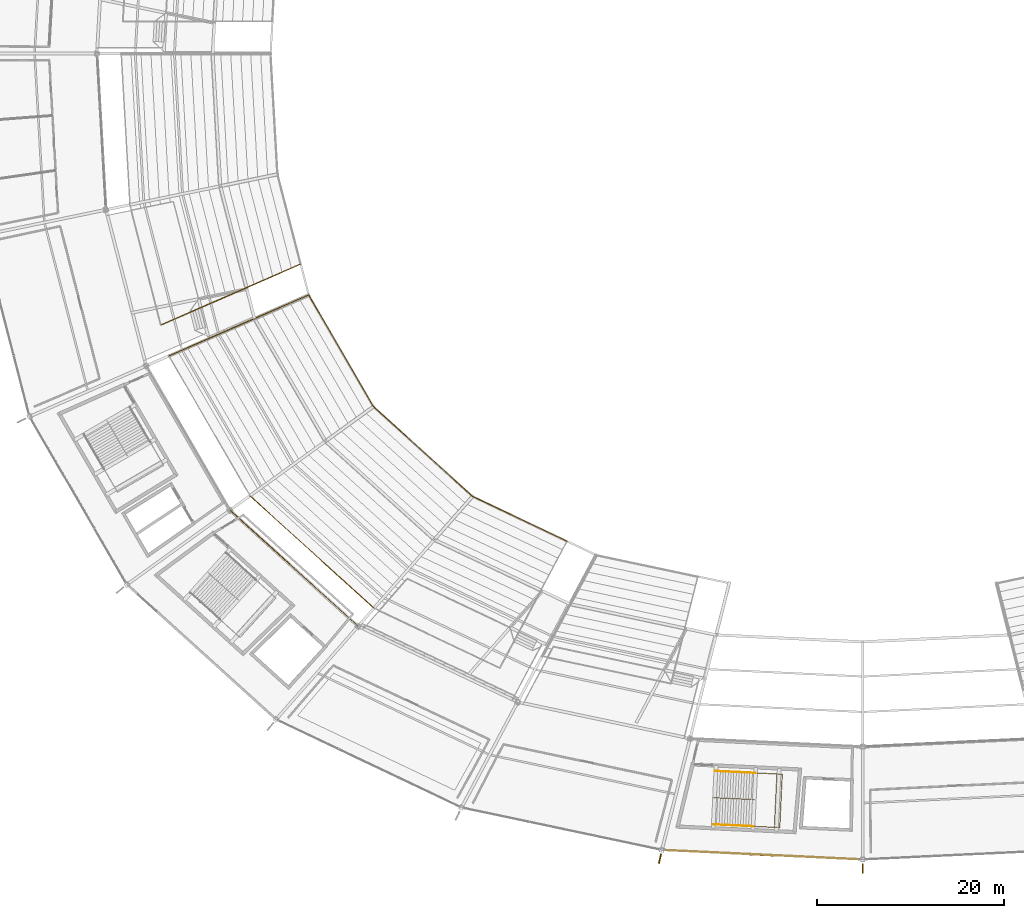
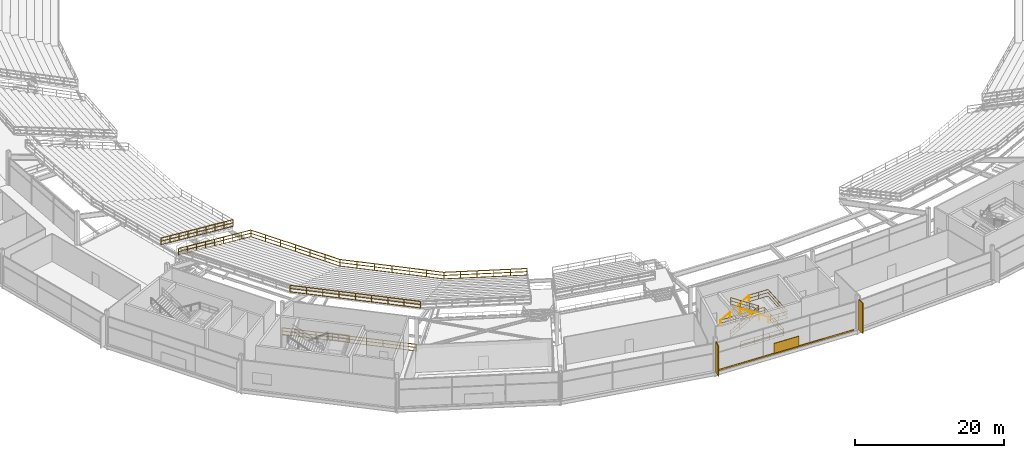
# One storey, part 171 of 186: 12 railings, 3 shading devices, 1 covering.
"""IFC4 building model written with IfcOpenShell, lengths in metres."""

from ifc_helpers import new_model, si_unit, direction, frame, origin, origin_2d, place, context, subcontext, project, spatial, rectangle, extrude, material, layer, layer_set, type_object, element, save


model = new_model("IFC4")

# Units and contexts
model_context = context("Model", 3, precision=1e-05, world=origin(), true_north=direction((0.0, 1.0)))
body_context = subcontext(model_context, "Body", "Model", "MODEL_VIEW")
ifc_project = project(units=[si_unit("LENGTHUNIT", "METRE"), si_unit("AREAUNIT", "SQUARE_METRE"), si_unit("VOLUMEUNIT", "CUBIC_METRE"), si_unit("PLANEANGLEUNIT", "RADIAN"), si_unit("MASSUNIT", "GRAM", prefix="KILO")], contexts=[model_context])

# Site, building, storey
site_placement = place(None, origin())
site = spatial("IfcSite", under=ifc_project, at=site_placement, CompositionType="ELEMENT")
building_placement = place(site_placement, origin())
building = spatial("IfcBuilding", under=site, at=building_placement, Name="Kazemori Nagisa Stadium", CompositionType="ELEMENT")
storey_placement = place(building_placement, frame((0.0, 0.0, 20.39990234375)))
storey = spatial("IfcBuildingStorey", under=building, at=storey_placement, Name="L04", CompositionType="ELEMENT", Elevation=20.39990234375)

# Covering
ifc_material_1 = material(Name="Anodised aluminium 6063-T5", Category="aluminium")
ifc_layer = layer(ifc_material_1, 0.034912109375, Name="Anodised aluminium 6063-T5", Category="aluminium")
ifc_layer_set = layer_set([ifc_layer], Name="Anodised aluminium 6063-T5")
covering_type = type_object("IfcCoveringType", Name="Covering_CLAD", PredefinedType="CLADDING", material=ifc_layer_set)
covering_placement = place(storey_placement, frame((112.2861328125, 16.506591796875, -0.259765625), z_axis=(0.0, 0.0, 1.0), x_axis=(0.998884022476, -0.047230388971, 0.0)))
element("IfcCovering", 1, at=covering_placement, inside=storey, type_object=covering_type, Name="Anodised fascia cladding L04-B21", PredefinedType="CLADDING", context=body_context, shape_type="SweptSolid", body=[
    extrude(rectangle(XDim=20.3515625, YDim=0.0400390625, at=origin_2d()), origin(), (0.0, 0.0, 1.0), 0.260009765625),
])

# Shading devices
ifc_material_2 = material(Name="Aluminium 6063-T5 anodised", Category="aluminium")
shading_device_type_1 = type_object("IfcShadingDeviceType", Name="Fin_FN03", PredefinedType="USERDEFINED", material=ifc_material_2)
for number, where, z_axis, x_axis, name in (
    (2, (101.35986328125, 16.08203125, 0.0), (0.0, 0.0, 1.0), (-0.222520933954, -0.974927912182, 0.0), "Aerodynamic wave shading fin L04-21"),
    (3, (123.0, 15.044921875, 0.0), (0.0, 0.0, 1.0), (0.0, -1.0, 0.0), "Aerodynamic wave shading fin L04-22"),
):
    element("IfcShadingDevice", number, at=place(storey_placement, frame(where, z_axis=z_axis, x_axis=x_axis)), inside=storey, type_object=shading_device_type_1, Name=name, ObjectType="FIN", PredefinedType="USERDEFINED", context=body_context, shape_type="SweptSolid", body=[
        extrude(rectangle(XDim=1.050048828125, YDim=0.139892578125, at=origin_2d()), origin(), (0.0, 0.0, 1.0), 5.0),
    ])
shading_device_type_2 = type_object("IfcShadingDeviceType", Name="Louvre_LV02", PredefinedType="JALOUSIE", material=ifc_material_2)
shading_device_placement = place(storey_placement, frame((112.2861328125, 16.506591796875, -0.010009765625), z_axis=(0.0, 0.0, 1.0), x_axis=(0.998884022476, -0.047230388971, 0.0)))
element("IfcShadingDevice", 4, at=shading_device_placement, inside=storey, type_object=shading_device_type_2, Name="Concourse ventilation louvre L04-B21", PredefinedType="JALOUSIE", context=body_context, shape_type="SweptSolid", body=[
    extrude(rectangle(XDim=3.800048828125, YDim=0.179931640625, at=origin_2d()), origin(), (0.0, 0.0, 1.0), 1.60009765625),
])

# Railings
ifc_material_3 = material(Name="Laminated safety glass and stainless steel SUS304", Category="steel")
railing_type_1 = type_object("IfcRailingType", Name="Rail_BAL", PredefinedType="BALUSTRADE", material=ifc_material_3)
railing_1_placement = place(storey_placement, frame((55.493896484375, 53.265869140625, 0.0)))
element("IfcRailing", 5, at=railing_1_placement, inside=storey, type_object=railing_type_1, Name="Upper concourse balustrade L04-B18", PredefinedType="BALUSTRADE", context=body_context, shape_type="SweptSolid", body=[
    extrude(rectangle(XDim=0.050048828125, YDim=0.050048828125, at=origin_2d()), frame((0.0, 0.0, 1.09521484375), z_axis=(0.741349142139, -0.671119549298, 0.0), x_axis=(0.671119549298, 0.741349142139, 0.0)), (0.0, 0.0, 1.0), 18.44189453125),
    extrude(rectangle(XDim=0.03759765625, YDim=0.03759765625, at=origin_2d()), frame((0.0, 0.0, 0.58251953125), z_axis=(0.741349142139, -0.671119549298, 0.0), x_axis=(0.671119549298, 0.741349142139, 0.0)), (0.0, 0.0, 1.0), 18.44189453125),
    extrude(rectangle(XDim=0.03759765625, YDim=0.03759765625, at=origin_2d()), frame((0.0, 0.0, 0.02490234375), z_axis=(0.741349142139, -0.671119549298, 0.0), x_axis=(0.671119549298, 0.741349142139, 0.0)), (0.0, 0.0, 1.0), 18.44189453125),
    extrude(rectangle(XDim=0.044921875, YDim=0.044921875, at=origin_2d()), origin(), (0.0, 0.0, 1.0), 1.070068359375),
    extrude(rectangle(XDim=0.044921875, YDim=0.044921875, at=origin_2d()), frame((1.708984375, -1.547119140625, 0.0)), (0.0, 0.0, 1.0), 1.070068359375),
    extrude(rectangle(XDim=0.044921875, YDim=0.044921875, at=origin_2d()), frame((3.41796875, -3.09423828125, 0.0)), (0.0, 0.0, 1.0), 1.070068359375),
    extrude(rectangle(XDim=0.044921875, YDim=0.044921875, at=origin_2d()), frame((5.126953125, -4.641357421875, 0.0)), (0.0, 0.0, 1.0), 1.070068359375),
    extrude(rectangle(XDim=0.044921875, YDim=0.044921875, at=origin_2d()), frame((6.8359375, -6.1884765625, 0.0)), (0.0, 0.0, 1.0), 1.070068359375),
    extrude(rectangle(XDim=0.044921875, YDim=0.044921875, at=origin_2d()), frame((8.544921875, -7.7353515625, 0.0)), (0.0, 0.0, 1.0), 1.070068359375),
    extrude(rectangle(XDim=0.044921875, YDim=0.044921875, at=origin_2d()), frame((10.25390625, -9.282470703125, 0.0)), (0.0, 0.0, 1.0), 1.070068359375),
    extrude(rectangle(XDim=0.044921875, YDim=0.044921875, at=origin_2d()), frame((11.962890625, -10.82958984375, 0.0)), (0.0, 0.0, 1.0), 1.070068359375),
    extrude(rectangle(XDim=0.044921875, YDim=0.044921875, at=origin_2d()), frame((13.671875, -12.376708984375, 0.0)), (0.0, 0.0, 1.0), 1.070068359375),
])
ifc_material_4 = material(Name="Galvanised powder-coated steel", Category="steel")
railing_type_2 = type_object("IfcRailingType", Name="Rail_GUARD", PredefinedType="GUARDRAIL", material=ifc_material_4)
railing_2_placement = place(storey_placement, frame((107.32470703125, 25.434814453125, 0.0)))
element("IfcRailing", 6, at=railing_2_placement, inside=storey, type_object=railing_type_2, Name="Stair well perimeter guard ST12-L04", PredefinedType="GUARDRAIL", context=body_context, shape_type="SweptSolid", body=[
    extrude(rectangle(XDim=0.050048828125, YDim=0.050048828125, at=origin_2d()), frame((0.0, 0.0, 1.09521484375), z_axis=(0.998884584463, -0.047218501914, 0.0), x_axis=(0.047218501914, 0.998884584463, 0.0)), (0.0, 0.0, 1.0), 6.525146484375),
    extrude(rectangle(XDim=0.03759765625, YDim=0.03759765625, at=origin_2d()), frame((0.0, 0.0, 0.58251953125), z_axis=(0.998884584463, -0.047218501914, 0.0), x_axis=(0.047218501914, 0.998884584463, 0.0)), (0.0, 0.0, 1.0), 6.525146484375),
    extrude(rectangle(XDim=0.03759765625, YDim=0.03759765625, at=origin_2d()), frame((0.0, 0.0, 0.02490234375), z_axis=(0.998884584463, -0.047218501914, 0.0), x_axis=(0.047218501914, 0.998884584463, 0.0)), (0.0, 0.0, 1.0), 6.525146484375),
    extrude(rectangle(XDim=0.050048828125, YDim=0.050048828125, at=origin_2d()), frame((6.517822265625, -0.30810546875, 1.09521484375), z_axis=(-0.047243616775, -0.998883396936, 0.0), x_axis=(0.998883396936, -0.047243616775, 0.0)), (0.0, 0.0, 1.0), 5.699951171875),
    extrude(rectangle(XDim=0.03759765625, YDim=0.03759765625, at=origin_2d()), frame((6.517822265625, -0.30810546875, 0.58251953125), z_axis=(-0.047243616775, -0.998883396936, 0.0), x_axis=(0.998883396936, -0.047243616775, 0.0)), (0.0, 0.0, 1.0), 5.699951171875),
    extrude(rectangle(XDim=0.03759765625, YDim=0.03759765625, at=origin_2d()), frame((6.517822265625, -0.30810546875, 0.02490234375), z_axis=(-0.047243616775, -0.998883396936, 0.0), x_axis=(0.998883396936, -0.047243616775, 0.0)), (0.0, 0.0, 1.0), 5.699951171875),
    extrude(rectangle(XDim=0.050048828125, YDim=0.050048828125, at=origin_2d()), frame((6.24853515625, -6.001708984375, 1.09521484375), z_axis=(-0.998884501037, 0.047220266718, 0.0), x_axis=(-0.047220266718, -0.998884501037, 0.0)), (0.0, 0.0, 1.0), 6.52490234375),
    extrude(rectangle(XDim=0.03759765625, YDim=0.03759765625, at=origin_2d()), frame((6.24853515625, -6.001708984375, 0.58251953125), z_axis=(-0.998884501037, 0.047220266718, 0.0), x_axis=(-0.047220266718, -0.998884501037, 0.0)), (0.0, 0.0, 1.0), 6.52490234375),
    extrude(rectangle(XDim=0.03759765625, YDim=0.03759765625, at=origin_2d()), frame((6.24853515625, -6.001708984375, 0.02490234375), z_axis=(-0.998884501037, 0.047220266718, 0.0), x_axis=(-0.047220266718, -0.998884501037, 0.0)), (0.0, 0.0, 1.0), 6.52490234375),
    extrude(rectangle(XDim=0.044921875, YDim=0.044921875, at=origin_2d()), origin(), (0.0, 0.0, 1.0), 1.070068359375),
    extrude(rectangle(XDim=0.044921875, YDim=0.044921875, at=origin_2d()), frame((2.172607421875, -0.102783203125, 0.0)), (0.0, 0.0, 1.0), 1.070068359375),
    extrude(rectangle(XDim=0.044921875, YDim=0.044921875, at=origin_2d()), frame((4.34521484375, -0.205322265625, 0.0)), (0.0, 0.0, 1.0), 1.070068359375),
    extrude(rectangle(XDim=0.044921875, YDim=0.044921875, at=origin_2d()), frame((6.517822265625, -0.30810546875, 0.0)), (0.0, 0.0, 1.0), 1.070068359375),
    extrude(rectangle(XDim=0.044921875, YDim=0.044921875, at=origin_2d()), frame((6.427978515625, -2.2060546875, 0.0)), (0.0, 0.0, 1.0), 1.070068359375),
    extrude(rectangle(XDim=0.044921875, YDim=0.044921875, at=origin_2d()), frame((6.33837890625, -4.103759765625, 0.0)), (0.0, 0.0, 1.0), 1.070068359375),
    extrude(rectangle(XDim=0.044921875, YDim=0.044921875, at=origin_2d()), frame((6.24853515625, -6.001708984375, 0.0)), (0.0, 0.0, 1.0), 1.070068359375),
    extrude(rectangle(XDim=0.044921875, YDim=0.044921875, at=origin_2d()), frame((4.075927734375, -5.89892578125, 0.0)), (0.0, 0.0, 1.0), 1.070068359375),
    extrude(rectangle(XDim=0.044921875, YDim=0.044921875, at=origin_2d()), frame((1.903564453125, -5.79638671875, 0.0)), (0.0, 0.0, 1.0), 1.070068359375),
    extrude(rectangle(XDim=0.044921875, YDim=0.044921875, at=origin_2d()), frame((-0.26904296875, -5.693603515625, 0.0)), (0.0, 0.0, 1.0), 1.070068359375),
])
railing_3_placement = place(storey_placement, frame((107.1103515625, 22.591796875, 0.0)))
element("IfcRailing", 7, at=railing_3_placement, inside=storey, type_object=railing_type_2, Name="Stair central guard ST12-L04", PredefinedType="GUARDRAIL", context=body_context, shape_type="SweptSolid", body=[
    extrude(rectangle(XDim=0.050048828125, YDim=0.050048828125, at=origin_2d()), frame((0.0, 0.0, 1.09521484375), z_axis=(0.845542194077, -0.039947627818, 0.532412044442), x_axis=(0.04719234507, 0.998885820586, 0.0)), (0.0, 0.0, 1.0), 5.109130859375),
    extrude(rectangle(XDim=0.03759765625, YDim=0.03759765625, at=origin_2d()), frame((0.0, 0.0, 0.58251953125), z_axis=(0.845542194077, -0.039947627818, 0.532412044442), x_axis=(0.04719234507, 0.998885820586, 0.0)), (0.0, 0.0, 1.0), 5.109130859375),
    extrude(rectangle(XDim=0.03759765625, YDim=0.03759765625, at=origin_2d()), frame((0.0, 0.0, 0.02490234375), z_axis=(0.845542194077, -0.039947627818, 0.532412044442), x_axis=(0.04719234507, 0.998885820586, 0.0)), (0.0, 0.0, 1.0), 5.109130859375),
    extrude(rectangle(XDim=0.050048828125, YDim=0.050048828125, at=origin_2d()), frame((4.320068359375, -0.2041015625, 3.8154296875), z_axis=(-0.841044817984, 0.039756897488, 0.539502551656), x_axis=(-0.047218117157, -0.99888460265, 0.0)), (0.0, 0.0, 1.0), 5.041748046875),
    extrude(rectangle(XDim=0.03759765625, YDim=0.03759765625, at=origin_2d()), frame((4.320068359375, -0.2041015625, 3.302734375), z_axis=(-0.841044817984, 0.039756897488, 0.539502551656), x_axis=(-0.047218117157, -0.99888460265, 0.0)), (0.0, 0.0, 1.0), 5.041748046875),
    extrude(rectangle(XDim=0.03759765625, YDim=0.03759765625, at=origin_2d()), frame((4.320068359375, -0.2041015625, 2.7451171875), z_axis=(-0.841044817984, 0.039756897488, 0.539502551656), x_axis=(-0.047218117157, -0.99888460265, 0.0)), (0.0, 0.0, 1.0), 5.041748046875),
    extrude(rectangle(XDim=0.044921875, YDim=0.044921875, at=origin_2d()), origin(), (0.0, 0.0, 1.0), 1.070068359375),
    extrude(rectangle(XDim=0.044921875, YDim=0.044921875, at=origin_2d()), frame((1.43994140625, -0.068115234375, 0.90673828125)), (0.0, 0.0, 1.0), 1.070068359375),
    extrude(rectangle(XDim=0.044921875, YDim=0.044921875, at=origin_2d()), frame((2.880126953125, -0.135986328125, 1.8134765625)), (0.0, 0.0, 1.0), 1.070068359375),
    extrude(rectangle(XDim=0.044921875, YDim=0.044921875, at=origin_2d()), frame((4.320068359375, -0.2041015625, 2.72021484375)), (0.0, 0.0, 1.0), 1.070068359375),
    extrude(rectangle(XDim=0.044921875, YDim=0.044921875, at=origin_2d()), frame((2.90673828125, -0.13720703125, 3.626953125)), (0.0, 0.0, 1.0), 1.070068359375),
    extrude(rectangle(XDim=0.044921875, YDim=0.044921875, at=origin_2d()), frame((1.4931640625, -0.070556640625, 4.533447265625)), (0.0, 0.0, 1.0), 1.070068359375),
    extrude(rectangle(XDim=0.044921875, YDim=0.044921875, at=origin_2d()), frame((0.079833984375, -0.003662109375, 5.440185546875)), (0.0, 0.0, 1.0), 1.070068359375),
])
railing_4_placement = place(storey_placement, frame((111.56494140625, 25.234375, 2.72021484375)))
element("IfcRailing", 8, at=railing_4_placement, inside=storey, type_object=railing_type_2, Name="Stair landing guard ST12-L04", PredefinedType="GUARDRAIL", context=body_context, shape_type="SweptSolid", body=[
    extrude(rectangle(XDim=0.050048828125, YDim=0.050048828125, at=origin_2d()), frame((0.0, 0.0, 1.09521484375), z_axis=(0.998885512722, -0.047198860948, 0.0), x_axis=(0.047198860948, 0.998885512722, 0.0)), (0.0, 0.0, 1.0), 2.85009765625),
    extrude(rectangle(XDim=0.03759765625, YDim=0.03759765625, at=origin_2d()), frame((0.0, 0.0, 0.58251953125), z_axis=(0.998885512722, -0.047198860948, 0.0), x_axis=(0.047198860948, 0.998885512722, 0.0)), (0.0, 0.0, 1.0), 2.85009765625),
    extrude(rectangle(XDim=0.03759765625, YDim=0.03759765625, at=origin_2d()), frame((0.0, 0.0, 0.02490234375), z_axis=(0.998885512722, -0.047198860948, 0.0), x_axis=(0.047198860948, 0.998885512722, 0.0)), (0.0, 0.0, 1.0), 2.85009765625),
    extrude(rectangle(XDim=0.050048828125, YDim=0.050048828125, at=origin_2d()), frame((2.846923828125, -0.134521484375, 1.09521484375), z_axis=(-0.047243616775, -0.998883396936, 0.0), x_axis=(0.998883396936, -0.047243616775, 0.0)), (0.0, 0.0, 1.0), 5.699951171875),
    extrude(rectangle(XDim=0.03759765625, YDim=0.03759765625, at=origin_2d()), frame((2.846923828125, -0.134521484375, 0.58251953125), z_axis=(-0.047243616775, -0.998883396936, 0.0), x_axis=(0.998883396936, -0.047243616775, 0.0)), (0.0, 0.0, 1.0), 5.699951171875),
    extrude(rectangle(XDim=0.03759765625, YDim=0.03759765625, at=origin_2d()), frame((2.846923828125, -0.134521484375, 0.02490234375), z_axis=(-0.047243616775, -0.998883396936, 0.0), x_axis=(0.998883396936, -0.047243616775, 0.0)), (0.0, 0.0, 1.0), 5.699951171875),
    extrude(rectangle(XDim=0.050048828125, YDim=0.050048828125, at=origin_2d()), frame((2.57763671875, -5.828125, 1.09521484375), z_axis=(-0.998885321869, 0.047202899858, 0.0), x_axis=(-0.047202899858, -0.998885321869, 0.0)), (0.0, 0.0, 1.0), 2.849853515625),
    extrude(rectangle(XDim=0.03759765625, YDim=0.03759765625, at=origin_2d()), frame((2.57763671875, -5.828125, 0.58251953125), z_axis=(-0.998885321869, 0.047202899858, 0.0), x_axis=(-0.047202899858, -0.998885321869, 0.0)), (0.0, 0.0, 1.0), 2.849853515625),
    extrude(rectangle(XDim=0.03759765625, YDim=0.03759765625, at=origin_2d()), frame((2.57763671875, -5.828125, 0.02490234375), z_axis=(-0.998885321869, 0.047202899858, 0.0), x_axis=(-0.047202899858, -0.998885321869, 0.0)), (0.0, 0.0, 1.0), 2.849853515625),
    extrude(rectangle(XDim=0.044921875, YDim=0.044921875, at=origin_2d()), origin(), (0.0, 0.0, 1.0), 1.070068359375),
    extrude(rectangle(XDim=0.044921875, YDim=0.044921875, at=origin_2d()), frame((1.42333984375, -0.0673828125, 0.0)), (0.0, 0.0, 1.0), 1.070068359375),
    extrude(rectangle(XDim=0.044921875, YDim=0.044921875, at=origin_2d()), frame((2.846923828125, -0.134521484375, 0.0)), (0.0, 0.0, 1.0), 1.070068359375),
    extrude(rectangle(XDim=0.044921875, YDim=0.044921875, at=origin_2d()), frame((2.757080078125, -2.032470703125, 0.0)), (0.0, 0.0, 1.0), 1.070068359375),
    extrude(rectangle(XDim=0.044921875, YDim=0.044921875, at=origin_2d()), frame((2.66748046875, -3.93017578125, 0.0)), (0.0, 0.0, 1.0), 1.070068359375),
    extrude(rectangle(XDim=0.044921875, YDim=0.044921875, at=origin_2d()), frame((2.57763671875, -5.828125, 0.0)), (0.0, 0.0, 1.0), 1.070068359375),
    extrude(rectangle(XDim=0.044921875, YDim=0.044921875, at=origin_2d()), frame((1.154296875, -5.7607421875, 0.0)), (0.0, 0.0, 1.0), 1.070068359375),
    extrude(rectangle(XDim=0.044921875, YDim=0.044921875, at=origin_2d()), frame((-0.26904296875, -5.693603515625, 0.0)), (0.0, 0.0, 1.0), 1.070068359375),
])
railing_5_placement = place(storey_placement, frame((63.041748046875, 79.523681640625, -0.8798828125)))
element("IfcRailing", 9, at=railing_5_placement, inside=storey, type_object=railing_type_2, Name="Upper tier radial step guard B16R", PredefinedType="GUARDRAIL", context=body_context, shape_type="SweptSolid", body=[
    extrude(rectangle(XDim=0.050048828125, YDim=0.050048828125, at=origin_2d()), frame((0.0, 0.0, 1.09521484375), z_axis=(-0.857424763392, -0.373795983256, 0.353693847873), x_axis=(0.399627400155, -0.916677664747, 0.0)), (0.0, 0.0, 1.0), 17.416015625),
    extrude(rectangle(XDim=0.03759765625, YDim=0.03759765625, at=origin_2d()), frame((0.0, 0.0, 0.58251953125), z_axis=(-0.857424763392, -0.373795983256, 0.353693847873), x_axis=(0.399627400155, -0.916677664747, 0.0)), (0.0, 0.0, 1.0), 17.416015625),
    extrude(rectangle(XDim=0.03759765625, YDim=0.03759765625, at=origin_2d()), frame((0.0, 0.0, 0.02490234375), z_axis=(-0.857424763392, -0.373795983256, 0.353693847873), x_axis=(0.399627400155, -0.916677664747, 0.0)), (0.0, 0.0, 1.0), 17.416015625),
    extrude(rectangle(XDim=0.044921875, YDim=0.044921875, at=origin_2d()), origin(), (0.0, 0.0, 1.0), 1.070068359375),
    extrude(rectangle(XDim=0.044921875, YDim=0.044921875, at=origin_2d()), frame((-1.86669921875, -0.813720703125, 0.77001953125)), (0.0, 0.0, 1.0), 1.070068359375),
    extrude(rectangle(XDim=0.044921875, YDim=0.044921875, at=origin_2d()), frame((-3.733154296875, -1.62744140625, 1.5400390625)), (0.0, 0.0, 1.0), 1.070068359375),
    extrude(rectangle(XDim=0.044921875, YDim=0.044921875, at=origin_2d()), frame((-5.599853515625, -2.441162109375, 2.31005859375)), (0.0, 0.0, 1.0), 1.070068359375),
    extrude(rectangle(XDim=0.044921875, YDim=0.044921875, at=origin_2d()), frame((-7.46630859375, -3.2548828125, 3.080078125)), (0.0, 0.0, 1.0), 1.070068359375),
    extrude(rectangle(XDim=0.044921875, YDim=0.044921875, at=origin_2d()), frame((-9.3330078125, -4.06884765625, 3.849853515625)), (0.0, 0.0, 1.0), 1.070068359375),
    extrude(rectangle(XDim=0.044921875, YDim=0.044921875, at=origin_2d()), frame((-11.19970703125, -4.882568359375, 4.619873046875)), (0.0, 0.0, 1.0), 1.070068359375),
    extrude(rectangle(XDim=0.044921875, YDim=0.044921875, at=origin_2d()), frame((-13.066162109375, -5.6962890625, 5.389892578125)), (0.0, 0.0, 1.0), 1.070068359375),
    extrude(rectangle(XDim=0.044921875, YDim=0.044921875, at=origin_2d()), frame((-14.932861328125, -6.510009765625, 6.159912109375)), (0.0, 0.0, 1.0), 1.070068359375),
])
railing_6_placement = place(storey_placement, frame((63.8916015625, 76.2314453125, -0.8798828125)))
element("IfcRailing", 10, at=railing_6_placement, inside=storey, type_object=railing_type_2, Name="Upper tier front crowd barrier B17", PredefinedType="GUARDRAIL", context=body_context, shape_type="SweptSolid", body=[
    extrude(rectangle(XDim=0.050048828125, YDim=0.050048828125, at=origin_2d()), frame((0.0, 0.0, 1.09521484375), z_axis=(0.501605611908, -0.865096416651, 0.0), x_axis=(0.865096416651, 0.501605611908, 0.0)), (0.0, 0.0, 1.0), 13.773681640625),
    extrude(rectangle(XDim=0.03759765625, YDim=0.03759765625, at=origin_2d()), frame((0.0, 0.0, 0.58251953125), z_axis=(0.501605611908, -0.865096416651, 0.0), x_axis=(0.865096416651, 0.501605611908, 0.0)), (0.0, 0.0, 1.0), 13.773681640625),
    extrude(rectangle(XDim=0.03759765625, YDim=0.03759765625, at=origin_2d()), frame((0.0, 0.0, 0.02490234375), z_axis=(0.501605611908, -0.865096416651, 0.0), x_axis=(0.865096416651, 0.501605611908, 0.0)), (0.0, 0.0, 1.0), 13.773681640625),
    extrude(rectangle(XDim=0.044921875, YDim=0.044921875, at=origin_2d()), origin(), (0.0, 0.0, 1.0), 1.070068359375),
    extrude(rectangle(XDim=0.044921875, YDim=0.044921875, at=origin_2d()), frame((1.1513671875, -1.98583984375, 0.0)), (0.0, 0.0, 1.0), 1.070068359375),
    extrude(rectangle(XDim=0.044921875, YDim=0.044921875, at=origin_2d()), frame((2.302978515625, -3.971923828125, 0.0)), (0.0, 0.0, 1.0), 1.070068359375),
    extrude(rectangle(XDim=0.044921875, YDim=0.044921875, at=origin_2d()), frame((3.45458984375, -5.957763671875, 0.0)), (0.0, 0.0, 1.0), 1.070068359375),
    extrude(rectangle(XDim=0.044921875, YDim=0.044921875, at=origin_2d()), frame((4.60595703125, -7.943603515625, 0.0)), (0.0, 0.0, 1.0), 1.070068359375),
    extrude(rectangle(XDim=0.044921875, YDim=0.044921875, at=origin_2d()), frame((5.75732421875, -9.9296875, 0.0)), (0.0, 0.0, 1.0), 1.070068359375),
    extrude(rectangle(XDim=0.044921875, YDim=0.044921875, at=origin_2d()), frame((6.908935546875, -11.91552734375, 0.0)), (0.0, 0.0, 1.0), 1.070068359375),
])
railing_7_placement = place(storey_placement, frame((63.8916015625, 76.2314453125, -0.8798828125)))
element("IfcRailing", 11, at=railing_7_placement, inside=storey, type_object=railing_type_2, Name="Upper tier radial step guard B17L", PredefinedType="GUARDRAIL", context=body_context, shape_type="SweptSolid", body=[
    extrude(rectangle(XDim=0.050048828125, YDim=0.050048828125, at=origin_2d()), frame((0.0, 0.0, 1.09521484375), z_axis=(-0.857429256212, -0.37378392361, 0.353695701193), x_axis=(0.399614806527, -0.91668315486, 0.0)), (0.0, 0.0, 1.0), 17.415771484375),
    extrude(rectangle(XDim=0.03759765625, YDim=0.03759765625, at=origin_2d()), frame((0.0, 0.0, 0.58251953125), z_axis=(-0.857429256212, -0.37378392361, 0.353695701193), x_axis=(0.399614806527, -0.91668315486, 0.0)), (0.0, 0.0, 1.0), 17.415771484375),
    extrude(rectangle(XDim=0.03759765625, YDim=0.03759765625, at=origin_2d()), frame((0.0, 0.0, 0.02490234375), z_axis=(-0.857429256212, -0.37378392361, 0.353695701193), x_axis=(0.399614806527, -0.91668315486, 0.0)), (0.0, 0.0, 1.0), 17.415771484375),
    extrude(rectangle(XDim=0.044921875, YDim=0.044921875, at=origin_2d()), origin(), (0.0, 0.0, 1.0), 1.070068359375),
    extrude(rectangle(XDim=0.044921875, YDim=0.044921875, at=origin_2d()), frame((-1.86669921875, -0.813720703125, 0.77001953125)), (0.0, 0.0, 1.0), 1.070068359375),
    extrude(rectangle(XDim=0.044921875, YDim=0.044921875, at=origin_2d()), frame((-3.733154296875, -1.62744140625, 1.5400390625)), (0.0, 0.0, 1.0), 1.070068359375),
    extrude(rectangle(XDim=0.044921875, YDim=0.044921875, at=origin_2d()), frame((-5.599853515625, -2.441162109375, 2.31005859375)), (0.0, 0.0, 1.0), 1.070068359375),
    extrude(rectangle(XDim=0.044921875, YDim=0.044921875, at=origin_2d()), frame((-7.46630859375, -3.2548828125, 3.080078125)), (0.0, 0.0, 1.0), 1.070068359375),
    extrude(rectangle(XDim=0.044921875, YDim=0.044921875, at=origin_2d()), frame((-9.3330078125, -4.068603515625, 3.849853515625)), (0.0, 0.0, 1.0), 1.070068359375),
    extrude(rectangle(XDim=0.044921875, YDim=0.044921875, at=origin_2d()), frame((-11.19970703125, -4.88232421875, 4.619873046875)), (0.0, 0.0, 1.0), 1.070068359375),
    extrude(rectangle(XDim=0.044921875, YDim=0.044921875, at=origin_2d()), frame((-13.066162109375, -5.696044921875, 5.389892578125)), (0.0, 0.0, 1.0), 1.070068359375),
    extrude(rectangle(XDim=0.044921875, YDim=0.044921875, at=origin_2d()), frame((-14.932861328125, -6.509765625, 6.159912109375)), (0.0, 0.0, 1.0), 1.070068359375),
])
railing_8_placement = place(storey_placement, frame((70.800537109375, 64.31591796875, -0.8798828125)))
element("IfcRailing", 12, at=railing_8_placement, inside=storey, type_object=railing_type_2, Name="Upper tier front crowd barrier B18", PredefinedType="GUARDRAIL", context=body_context, shape_type="SweptSolid", body=[
    extrude(rectangle(XDim=0.050048828125, YDim=0.050048828125, at=origin_2d()), frame((0.0, 0.0, 1.09521484375), z_axis=(0.7413568829, -0.671110998402, 0.0), x_axis=(0.671110998402, 0.7413568829, 0.0)), (0.0, 0.0, 1.0), 14.260009765625),
    extrude(rectangle(XDim=0.03759765625, YDim=0.03759765625, at=origin_2d()), frame((0.0, 0.0, 0.58251953125), z_axis=(0.7413568829, -0.671110998402, 0.0), x_axis=(0.671110998402, 0.7413568829, 0.0)), (0.0, 0.0, 1.0), 14.260009765625),
    extrude(rectangle(XDim=0.03759765625, YDim=0.03759765625, at=origin_2d()), frame((0.0, 0.0, 0.02490234375), z_axis=(0.7413568829, -0.671110998402, 0.0), x_axis=(0.671110998402, 0.7413568829, 0.0)), (0.0, 0.0, 1.0), 14.260009765625),
    extrude(rectangle(XDim=0.044921875, YDim=0.044921875, at=origin_2d()), origin(), (0.0, 0.0, 1.0), 1.070068359375),
    extrude(rectangle(XDim=0.044921875, YDim=0.044921875, at=origin_2d()), frame((1.761962890625, -1.594970703125, 0.0)), (0.0, 0.0, 1.0), 1.070068359375),
    extrude(rectangle(XDim=0.044921875, YDim=0.044921875, at=origin_2d()), frame((3.52392578125, -3.18994140625, 0.0)), (0.0, 0.0, 1.0), 1.070068359375),
    extrude(rectangle(XDim=0.044921875, YDim=0.044921875, at=origin_2d()), frame((5.285888671875, -4.78515625, 0.0)), (0.0, 0.0, 1.0), 1.070068359375),
    extrude(rectangle(XDim=0.044921875, YDim=0.044921875, at=origin_2d()), frame((7.0478515625, -6.380126953125, 0.0)), (0.0, 0.0, 1.0), 1.070068359375),
    extrude(rectangle(XDim=0.044921875, YDim=0.044921875, at=origin_2d()), frame((8.809814453125, -7.97509765625, 0.0)), (0.0, 0.0, 1.0), 1.070068359375),
    extrude(rectangle(XDim=0.044921875, YDim=0.044921875, at=origin_2d()), frame((10.57177734375, -9.570068359375, 0.0)), (0.0, 0.0, 1.0), 1.070068359375),
])
railing_9_placement = place(storey_placement, frame((57.61328125, 54.7958984375, 5.280029296875)))
element("IfcRailing", 13, at=railing_9_placement, inside=storey, type_object=railing_type_2, Name="Upper tier rear guard B18", PredefinedType="GUARDRAIL", context=body_context, shape_type="SweptSolid", body=[
    extrude(rectangle(XDim=0.050048828125, YDim=0.050048828125, at=origin_2d()), frame((0.0, 0.0, 1.09521484375), z_axis=(0.741352808081, -0.671115499709, 0.0), x_axis=(0.671115499709, 0.741352808081, 0.0)), (0.0, 0.0, 1.0), 17.86279296875),
    extrude(rectangle(XDim=0.03759765625, YDim=0.03759765625, at=origin_2d()), frame((0.0, 0.0, 0.58251953125), z_axis=(0.741352808081, -0.671115499709, 0.0), x_axis=(0.671115499709, 0.741352808081, 0.0)), (0.0, 0.0, 1.0), 17.86279296875),
    extrude(rectangle(XDim=0.03759765625, YDim=0.03759765625, at=origin_2d()), frame((0.0, 0.0, 0.02490234375), z_axis=(0.741352808081, -0.671115499709, 0.0), x_axis=(0.671115499709, 0.741352808081, 0.0)), (0.0, 0.0, 1.0), 17.86279296875),
    extrude(rectangle(XDim=0.044921875, YDim=0.044921875, at=origin_2d()), origin(), (0.0, 0.0, 1.0), 1.070068359375),
    extrude(rectangle(XDim=0.044921875, YDim=0.044921875, at=origin_2d()), frame((1.6552734375, -1.49853515625, 0.0)), (0.0, 0.0, 1.0), 1.070068359375),
    extrude(rectangle(XDim=0.044921875, YDim=0.044921875, at=origin_2d()), frame((3.310546875, -2.9970703125, 0.0)), (0.0, 0.0, 1.0), 1.070068359375),
    extrude(rectangle(XDim=0.044921875, YDim=0.044921875, at=origin_2d()), frame((4.966064453125, -4.49560546875, 0.0)), (0.0, 0.0, 1.0), 1.070068359375),
    extrude(rectangle(XDim=0.044921875, YDim=0.044921875, at=origin_2d()), frame((6.621337890625, -5.994140625, 0.0)), (0.0, 0.0, 1.0), 1.070068359375),
    extrude(rectangle(XDim=0.044921875, YDim=0.044921875, at=origin_2d()), frame((8.276611328125, -7.492431640625, 0.0)), (0.0, 0.0, 1.0), 1.070068359375),
    extrude(rectangle(XDim=0.044921875, YDim=0.044921875, at=origin_2d()), frame((9.93212890625, -8.990966796875, 0.0)), (0.0, 0.0, 1.0), 1.070068359375),
    extrude(rectangle(XDim=0.044921875, YDim=0.044921875, at=origin_2d()), frame((11.58740234375, -10.489501953125, 0.0)), (0.0, 0.0, 1.0), 1.070068359375),
    extrude(rectangle(XDim=0.044921875, YDim=0.044921875, at=origin_2d()), frame((13.24267578125, -11.988037109375, 0.0)), (0.0, 0.0, 1.0), 1.070068359375),
])
railing_10_placement = place(storey_placement, frame((81.372314453125, 54.745849609375, -0.8798828125)))
element("IfcRailing", 14, at=railing_10_placement, inside=storey, type_object=railing_type_2, Name="Upper tier front crowd barrier B19", PredefinedType="GUARDRAIL", context=body_context, shape_type="SweptSolid", body=[
    extrude(rectangle(XDim=0.050048828125, YDim=0.050048828125, at=origin_2d()), frame((0.0, 0.0, 1.09521484375), z_axis=(0.9032108039, -0.429197208424, 0.0), x_axis=(0.429197208424, 0.9032108039, 0.0)), (0.0, 0.0, 1.0), 11.173095703125),
    extrude(rectangle(XDim=0.03759765625, YDim=0.03759765625, at=origin_2d()), frame((0.0, 0.0, 0.58251953125), z_axis=(0.9032108039, -0.429197208424, 0.0), x_axis=(0.429197208424, 0.9032108039, 0.0)), (0.0, 0.0, 1.0), 11.173095703125),
    extrude(rectangle(XDim=0.03759765625, YDim=0.03759765625, at=origin_2d()), frame((0.0, 0.0, 0.02490234375), z_axis=(0.9032108039, -0.429197208424, 0.0), x_axis=(0.429197208424, 0.9032108039, 0.0)), (0.0, 0.0, 1.0), 11.173095703125),
    extrude(rectangle(XDim=0.044921875, YDim=0.044921875, at=origin_2d()), origin(), (0.0, 0.0, 1.0), 1.070068359375),
    extrude(rectangle(XDim=0.044921875, YDim=0.044921875, at=origin_2d()), frame((2.018310546875, -0.958984375, 0.0)), (0.0, 0.0, 1.0), 1.070068359375),
    extrude(rectangle(XDim=0.044921875, YDim=0.044921875, at=origin_2d()), frame((4.03662109375, -1.918212890625, 0.0)), (0.0, 0.0, 1.0), 1.070068359375),
    extrude(rectangle(XDim=0.044921875, YDim=0.044921875, at=origin_2d()), frame((6.054931640625, -2.877197265625, 0.0)), (0.0, 0.0, 1.0), 1.070068359375),
    extrude(rectangle(XDim=0.044921875, YDim=0.044921875, at=origin_2d()), frame((8.0732421875, -3.83642578125, 0.0)), (0.0, 0.0, 1.0), 1.070068359375),
    extrude(rectangle(XDim=0.044921875, YDim=0.044921875, at=origin_2d()), frame((10.091552734375, -4.79541015625, 0.0)), (0.0, 0.0, 1.0), 1.070068359375),
])
ifc_material_5 = material(Name="Stainless steel SUS304", Category="steel")
railing_type_3 = type_object("IfcRailingType", Name="Rail_HAND", PredefinedType="HANDRAIL", material=ifc_material_5)
railing_11_placement = place(storey_placement, frame((107.244873046875, 25.438720703125, 0.170166015625)))
element("IfcRailing", 15, at=railing_11_placement, inside=storey, type_object=railing_type_3, Name="Stair handrail ST12-L04-F1", PredefinedType="HANDRAIL", context=body_context, shape_type="SweptSolid", body=[
    extrude(rectangle(XDim=0.050048828125, YDim=0.050048828125, at=origin_2d()), frame((0.0, 0.0, 0.875), z_axis=(0.845562090181, -0.039996353178, 0.532376787042), x_axis=(0.047248669297, 0.998883157957, 0.0)), (0.0, 0.0, 1.0), 5.109130859375),
    extrude(rectangle(XDim=0.044921875, YDim=0.044921875, at=origin_2d()), origin(), (0.0, 0.0, 1.0), 0.849853515625),
    extrude(rectangle(XDim=0.044921875, YDim=0.044921875, at=origin_2d()), frame((1.43994140625, -0.068115234375, 0.90673828125)), (0.0, 0.0, 1.0), 0.849853515625),
    extrude(rectangle(XDim=0.044921875, YDim=0.044921875, at=origin_2d()), frame((2.880126953125, -0.13623046875, 1.813232421875)), (0.0, 0.0, 1.0), 0.849853515625),
    extrude(rectangle(XDim=0.044921875, YDim=0.044921875, at=origin_2d()), frame((4.320068359375, -0.204345703125, 2.719970703125)), (0.0, 0.0, 1.0), 0.849853515625),
])
railing_12_placement = place(storey_placement, frame((111.2958984375, 19.540771484375, 2.89013671875)))
element("IfcRailing", 16, at=railing_12_placement, inside=storey, type_object=railing_type_3, Name="Stair handrail ST12-L04-F2", PredefinedType="HANDRAIL", context=body_context, shape_type="SweptSolid", body=[
    extrude(rectangle(XDim=0.050048828125, YDim=0.050048828125, at=origin_2d()), frame((0.0, 0.0, 0.875), z_axis=(-0.841044817984, 0.039756897488, 0.539502551656), x_axis=(-0.047218117157, -0.99888460265, 0.0)), (0.0, 0.0, 1.0), 5.041748046875),
    extrude(rectangle(XDim=0.044921875, YDim=0.044921875, at=origin_2d()), origin(), (0.0, 0.0, 1.0), 0.849853515625),
    extrude(rectangle(XDim=0.044921875, YDim=0.044921875, at=origin_2d()), frame((-1.413330078125, 0.06689453125, 0.90673828125)), (0.0, 0.0, 1.0), 0.849853515625),
    extrude(rectangle(XDim=0.044921875, YDim=0.044921875, at=origin_2d()), frame((-2.826904296875, 0.133544921875, 1.813232421875)), (0.0, 0.0, 1.0), 0.849853515625),
    extrude(rectangle(XDim=0.044921875, YDim=0.044921875, at=origin_2d()), frame((-4.240234375, 0.200439453125, 2.719970703125)), (0.0, 0.0, 1.0), 0.849853515625),
])

save(model, "model.ifc")
